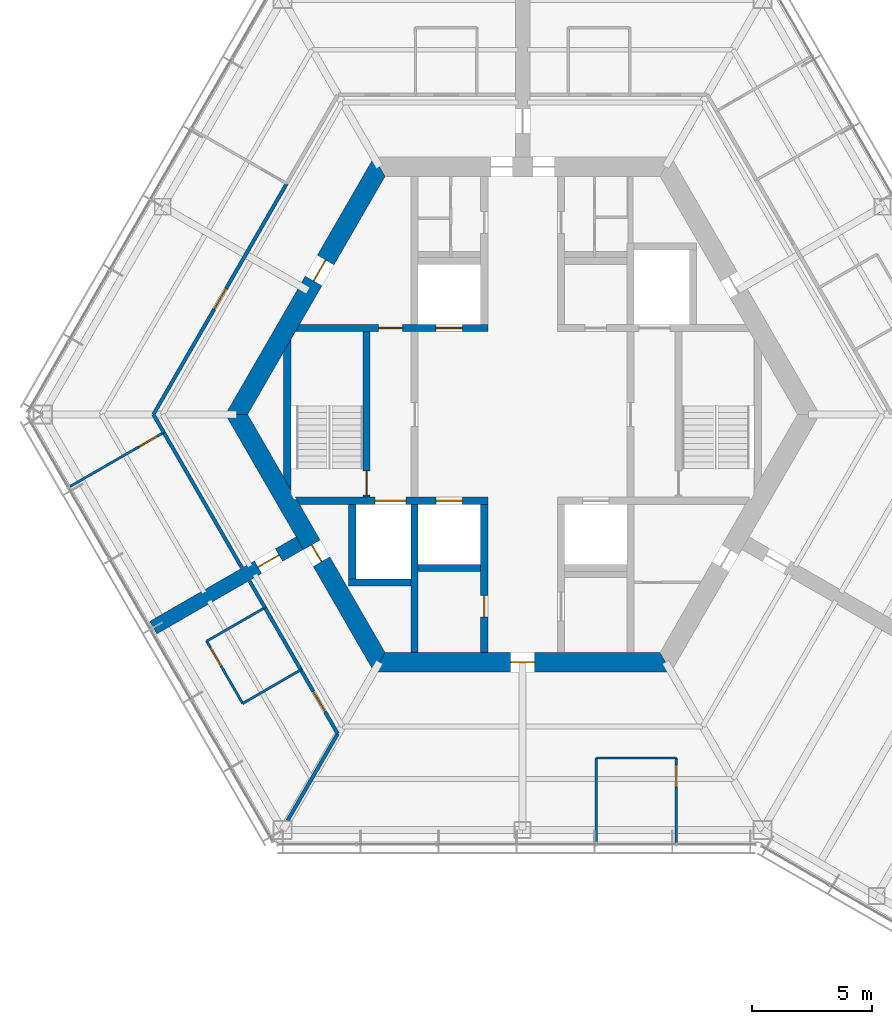
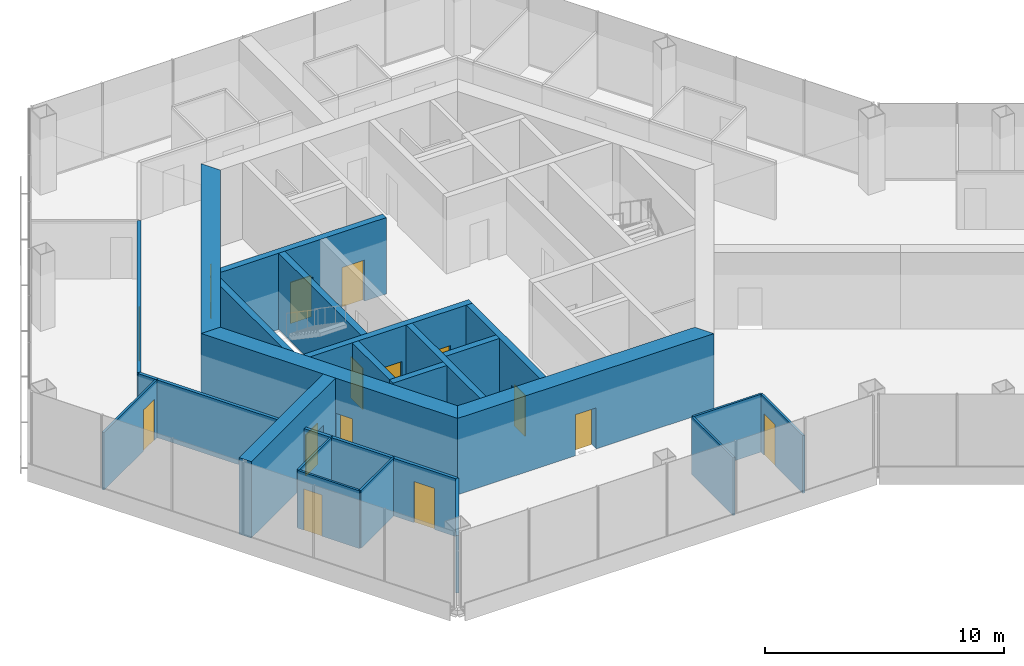
# One storey, part 10 of 15: 27 walls, 15 doors, 15 openings.
"""IFC4 building model written with IfcOpenShell, lengths in metres."""

from ifc_helpers import new_model, si_unit, direction, frame, frame_2d, origin, place, context, subcontext, project, spatial, polyline, rectangle, outline, extrude, material, layer, layer_set, type_object, element, fill, save


model = new_model("IFC4")

# Units and contexts
model_context = context("Model", 3, precision=1e-05, world=origin(), true_north=direction((0.0, 1.0)))
body_context = subcontext(model_context, "Body", "Model", "MODEL_VIEW")
ifc_project = project(units=[si_unit("LENGTHUNIT", "METRE"), si_unit("AREAUNIT", "SQUARE_METRE"), si_unit("VOLUMEUNIT", "CUBIC_METRE"), si_unit("PLANEANGLEUNIT", "RADIAN"), si_unit("MASSUNIT", "GRAM", prefix="KILO")], contexts=[model_context])

# Site, building, storey
site_placement = place(None, origin())
site = spatial("IfcSite", under=ifc_project, at=site_placement, CompositionType="ELEMENT")
building_placement = place(site_placement, origin())
building = spatial("IfcBuilding", under=site, at=building_placement, Name="Kasaneha Research Tower", CompositionType="ELEMENT")
storey_placement = place(building_placement, frame((0.0, 0.0, 244.0)))
storey = spatial("IfcBuildingStorey", under=building, at=storey_placement, Name="L61", CompositionType="ELEMENT", Elevation=244.0)

# Wall, openings, doors
ifc_material_1 = material(Name="Concrete Fc60", Category="concrete")
ifc_layer_1 = layer(ifc_material_1, 0.300048828125)
ifc_layer_set_1 = layer_set([ifc_layer_1], Name="Core internal wall 300 Fc60")
wall_type_1 = type_object("IfcWallType", Name="Core internal wall 300 Fc60", PredefinedType="SHEAR", material=ifc_layer_set_1)
wall_1_placement = place(storey_placement, frame((-9.3818359375, 3.60009765625, 0.0), z_axis=(0.0, 0.0, 1.0), x_axis=(1.0, 0.0, 0.0)))
wall_1 = element("IfcWall", 1, at=wall_1_placement, inside=storey, type_object=wall_type_1, Name="Core wall W1W L61", PredefinedType="SHEAR", context=body_context, shape_type="SweptSolid", body=[
    extrude(outline(polyline([(-0.086669921875, -0.14990234375), (3.3818359375, -0.14990234375), (4.3818359375, -0.14990234375), (5.781982421875, -0.14990234375), (6.882080078125, -0.14990234375), (7.931884765625, -0.14990234375), (7.931884765625, 0.14990234375), (6.882080078125, 0.14990234375), (5.781982421875, 0.14990234375), (4.3818359375, 0.14990234375), (3.3818359375, 0.14990234375), (0.086669921875, 0.14990234375), (-0.086669921875, -0.14990234375)])), origin(), (0.0, 0.0, 1.0), 3.89990234375),
])
opening_1_placement = place(wall_1_placement, frame((3.3818359375, 0.0, 0.0)))
opening_1 = element("IfcOpeningElement", 2, at=opening_1_placement, cuts=wall_1, Name="Opening L61-D12", PredefinedType="OPENING", context=body_context, shape_type="SweptSolid", body=[
    extrude(rectangle(XDim=1.0, YDim=2.10009765625, at=frame_2d((0.5, 1.050048828125))), frame((0.0, 0.16015625, 0.0), z_axis=(0.0, -1.0, 0.0), x_axis=(1.0, 0.0, 0.0)), (0.0, 0.0, 1.0), 0.320068359375),
])
opening_2_placement = place(wall_1_placement, frame((5.781982421875, 0.0, 0.0)))
opening_2 = element("IfcOpeningElement", 3, at=opening_2_placement, cuts=wall_1, Name="Opening LD-LH2-L61", PredefinedType="OPENING", context=body_context, shape_type="SweptSolid", body=[
    extrude(rectangle(XDim=1.10009765625, YDim=2.10009765625, at=frame_2d((0.550048828125, 1.050048828125))), frame((0.0, 0.16015625, 0.0), z_axis=(0.0, -1.0, 0.0), x_axis=(1.0, 0.0, 0.0)), (0.0, 0.0, 1.0), 0.320068359375),
])
ifc_material_2 = material(Name="Steel", Category="steel")
door_type_1 = type_object("IfcDoorType", Name="Lift landing door 1100x2100", OperationType="DOUBLE_DOOR_SLIDING", PredefinedType="DOOR", material=ifc_material_2)
door_1_placement = place(opening_2_placement, origin())
door_1 = element("IfcDoor", 4, at=door_1_placement, inside=storey, type_object=door_type_1, Name="Landing door LH2 LD-LH2-L61", OperationType="DOUBLE_DOOR_SLIDING", OverallHeight=2.10009765625, OverallWidth=1.10009765625, PredefinedType="DOOR", context=body_context, shape_type="SweptSolid", body=[
    extrude(rectangle(XDim=1.10009765625, YDim=2.10009765625, at=frame_2d((0.550048828125, 1.050048828125))), frame((0.0, 0.02490234375, 0.0), z_axis=(0.0, -1.0, 0.0), x_axis=(1.0, 0.0, 0.0)), (0.0, 0.0, 1.0), 0.050048828125),
])
fill(opening_2, door_1)
ifc_material_3 = material(Name="Steel", Category="steel")
door_type_2 = type_object("IfcDoorType", Name="Specified fire door FD60 1000x2100", OperationType="NOTDEFINED", PredefinedType="DOOR", material=ifc_material_3)
door_2_placement = place(opening_1_placement, origin())
door_2 = element("IfcDoor", 5, at=door_2_placement, inside=storey, type_object=door_type_2, Name="Vestibule to lobby door L61-D12", OperationType="SINGLE_SWING_LEFT", OverallHeight=2.10009765625, OverallWidth=1.0, PredefinedType="DOOR", context=body_context, shape_type="SweptSolid", body=[
    extrude(rectangle(XDim=1.0, YDim=2.10009765625, at=frame_2d((0.5, 1.050048828125))), frame((0.0, 0.02490234375, 0.0), z_axis=(0.0, -1.0, 0.0), x_axis=(1.0, 0.0, 0.0)), (0.0, 0.0, 1.0), 0.050048828125),
])
fill(opening_1, door_2)

wall_2_placement = place(storey_placement, frame((-9.3818359375, -3.60009765625, 0.0), z_axis=(0.0, 0.0, 1.0), x_axis=(1.0, 0.0, 0.0)))
wall_2 = element("IfcWall", 6, at=wall_2_placement, inside=storey, type_object=wall_type_1, Name="Core wall W2W L61", PredefinedType="SHEAR", context=body_context, shape_type="SweptSolid", body=[
    extrude(outline(polyline([(0.086669921875, -0.14990234375), (3.23193359375, -0.14990234375), (4.531982421875, -0.14990234375), (5.781982421875, -0.14990234375), (6.882080078125, -0.14990234375), (7.931884765625, -0.14990234375), (7.931884765625, 0.14990234375), (6.882080078125, 0.14990234375), (5.781982421875, 0.14990234375), (4.531982421875, 0.14990234375), (3.23193359375, 0.14990234375), (-0.086669921875, 0.14990234375), (0.086669921875, -0.14990234375)])), origin(), (0.0, 0.0, 1.0), 3.89990234375),
])
opening_3_placement = place(wall_2_placement, frame((5.781982421875, 0.0, 0.0)))
opening_3 = element("IfcOpeningElement", 7, at=opening_3_placement, cuts=wall_2, Name="Opening LD-LH1-L61", PredefinedType="OPENING", context=body_context, shape_type="SweptSolid", body=[
    extrude(rectangle(XDim=1.10009765625, YDim=2.10009765625, at=frame_2d((0.550048828125, 1.050048828125))), frame((0.0, 0.16015625, 0.0), z_axis=(0.0, -1.0, 0.0), x_axis=(1.0, 0.0, 0.0)), (0.0, 0.0, 1.0), 0.320068359375),
])
opening_4_placement = place(wall_2_placement, frame((3.23193359375, 0.0, 0.0)))
opening_4 = element("IfcOpeningElement", 8, at=opening_4_placement, cuts=wall_2, Name="Opening LD-FL2-L61", PredefinedType="OPENING", context=body_context, shape_type="SweptSolid", body=[
    extrude(rectangle(XDim=1.300048828125, YDim=2.10009765625, at=frame_2d((0.64990234375, 1.050048828125))), frame((0.0, 0.16015625, 0.0), z_axis=(0.0, -1.0, 0.0), x_axis=(1.0, 0.0, 0.0)), (0.0, 0.0, 1.0), 0.320068359375),
])
door_3_placement = place(opening_3_placement, origin())
door_3 = element("IfcDoor", 9, at=door_3_placement, inside=storey, type_object=door_type_1, Name="Landing door LH1 LD-LH1-L61", OperationType="DOUBLE_DOOR_SLIDING", OverallHeight=2.10009765625, OverallWidth=1.10009765625, PredefinedType="DOOR", context=body_context, shape_type="SweptSolid", body=[
    extrude(rectangle(XDim=1.10009765625, YDim=2.10009765625, at=frame_2d((0.550048828125, 1.050048828125))), frame((0.0, 0.02490234375, 0.0), z_axis=(0.0, -1.0, 0.0), x_axis=(1.0, 0.0, 0.0)), (0.0, 0.0, 1.0), 0.050048828125),
])
fill(opening_3, door_3)
ifc_material_4 = material(Name="Steel", Category="steel")
door_type_3 = type_object("IfcDoorType", Name="Lift landing door 1300x2100", OperationType="DOUBLE_DOOR_SLIDING", PredefinedType="DOOR", material=ifc_material_4)
door_4_placement = place(opening_4_placement, origin())
door_4 = element("IfcDoor", 10, at=door_4_placement, inside=storey, type_object=door_type_3, Name="Landing door FL2 LD-FL2-L61", OperationType="DOUBLE_DOOR_SLIDING", OverallHeight=2.10009765625, OverallWidth=1.300048828125, PredefinedType="DOOR", context=body_context, shape_type="SweptSolid", body=[
    extrude(rectangle(XDim=1.300048828125, YDim=2.10009765625, at=frame_2d((0.64990234375, 1.050048828125))), frame((0.0, 0.02490234375, 0.0), z_axis=(0.0, -1.0, 0.0), x_axis=(1.0, 0.0, 0.0)), (0.0, 0.0, 1.0), 0.050048828125),
])
fill(opening_4, door_4)

# Wall, opening, door
wall_3_placement = place(storey_placement, frame((-1.60009765625, -3.75, 0.0), z_axis=(0.0, 0.0, 1.0), x_axis=(0.0, -1.0, 0.0)))
wall_3 = element("IfcWall", 11, at=wall_3_placement, inside=storey, type_object=wall_type_1, Name="Core wall CSW L61", PredefinedType="SHEAR", context=body_context, shape_type="SweptSolid", body=[
    extrude(rectangle(XDim=6.175048828125, YDim=0.300048828125, at=frame_2d((3.08740234375, 0.0))), origin(), (0.0, 0.0, 1.0), 3.89990234375),
])
opening_5_placement = place(wall_3_placement, frame((3.800048828125, 0.0, 0.0)))
opening_5 = element("IfcOpeningElement", 12, at=opening_5_placement, cuts=wall_3, Name="Opening L61-D16", PredefinedType="OPENING", context=body_context, shape_type="SweptSolid", body=[
    extrude(rectangle(XDim=0.89990234375, YDim=2.10009765625, at=frame_2d((0.449951171875, 1.050048828125))), frame((0.0, 0.16015625, 0.0), z_axis=(0.0, -1.0, 0.0), x_axis=(1.0, 0.0, 0.0)), (0.0, 0.0, 1.0), 0.320068359375),
])
ifc_material_5 = material(Name="Steel", Category="steel")
door_type_4 = type_object("IfcDoorType", Name="Riser access door FD60 900x2100", OperationType="NOTDEFINED", PredefinedType="DOOR", material=ifc_material_5)
door_5_placement = place(opening_5_placement, origin())
door_5 = element("IfcDoor", 13, at=door_5_placement, inside=storey, type_object=door_type_4, Name="Electrical riser door L61-D16", OperationType="SINGLE_SWING_LEFT", OverallHeight=2.10009765625, OverallWidth=0.89990234375, PredefinedType="DOOR", context=body_context, shape_type="SweptSolid", body=[
    extrude(rectangle(XDim=0.89990234375, YDim=2.10009765625, at=frame_2d((0.449951171875, 1.050048828125))), frame((0.0, 0.02490234375, 0.0), z_axis=(0.0, -1.0, 0.0), x_axis=(1.0, 0.0, 0.0)), (0.0, 0.0, 1.0), 0.050048828125),
])
fill(opening_5, door_5)

wall_4_placement = place(storey_placement, frame((-6.5, -3.449951171875, 0.0), z_axis=(0.0, 0.0, 1.0), x_axis=(0.0, 1.0, 0.0)))
wall_4 = element("IfcWall", 14, at=wall_4_placement, inside=storey, type_object=wall_type_1, Name="Core wall ANW L61", PredefinedType="SHEAR", context=body_context, shape_type="SweptSolid", body=[
    extrude(rectangle(XDim=6.89990234375, YDim=0.300048828125, at=frame_2d((3.449951171875, 0.0))), origin(), (0.0, 0.0, 1.0), 3.89990234375),
])
opening_6_placement = place(wall_4_placement, frame((0.10009765625, 0.0, 0.0)))
opening_6 = element("IfcOpeningElement", 15, at=opening_6_placement, cuts=wall_4, Name="Opening L61-D11", PredefinedType="OPENING", context=body_context, shape_type="SweptSolid", body=[
    extrude(rectangle(XDim=1.0, YDim=2.10009765625, at=frame_2d((0.5, 1.050048828125))), frame((0.0, 0.16015625, 0.0), z_axis=(0.0, -1.0, 0.0), x_axis=(1.0, 0.0, 0.0)), (0.0, 0.0, 1.0), 0.320068359375),
])
door_6_placement = place(opening_6_placement, origin())
door_6 = element("IfcDoor", 16, at=door_6_placement, inside=storey, type_object=door_type_2, Name="Stair 2 door L61-D11", OperationType="SINGLE_SWING_LEFT", OverallHeight=2.10009765625, OverallWidth=1.0, PredefinedType="DOOR", context=body_context, shape_type="SweptSolid", body=[
    extrude(rectangle(XDim=1.0, YDim=2.10009765625, at=frame_2d((0.5, 1.050048828125))), frame((0.0, 0.02490234375, 0.0), z_axis=(0.0, -1.0, 0.0), x_axis=(1.0, 0.0, 0.0)), (0.0, 0.0, 1.0), 0.050048828125),
])
fill(opening_6, door_6)

# Walls
wall_5_placement = place(storey_placement, frame((-4.5, -3.75, 0.0), z_axis=(0.0, 0.0, 1.0), x_axis=(0.0, -1.0, 0.0)))
element("IfcWall", 17, at=wall_5_placement, inside=storey, type_object=wall_type_1, Name="Core wall SSW L61", PredefinedType="SHEAR", context=body_context, shape_type="SweptSolid", body=[
    extrude(rectangle(XDim=6.175048828125, YDim=0.300048828125, at=frame_2d((3.08740234375, 0.0))), origin(), (0.0, 0.0, 1.0), 3.89990234375),
])
for number, where, z_axis, x_axis, name in (
    (18, (-4.35009765625, -6.39990234375, 0.0), (0.0, 0.0, 1.0), (1.0, 0.0, 0.0), "Core wall S1S L61"),
    (19, (-7.25, -7.0, 0.0), (0.0, 0.0, 1.0), (1.0, 0.0, 0.0), "Core wall F2S L61"),
):
    element("IfcWall", number, at=place(storey_placement, frame(where, z_axis=z_axis, x_axis=x_axis)), inside=storey, type_object=wall_type_1, Name=name, PredefinedType="SHEAR", context=body_context, shape_type="SweptSolid", body=[
        extrude(rectangle(XDim=2.60009765625, YDim=0.300048828125, at=frame_2d((1.300048828125, 0.0))), origin(), (0.0, 0.0, 1.0), 3.89990234375),
    ])
wall_6_placement = place(storey_placement, frame((-7.10009765625, -3.75, 0.0), z_axis=(0.0, 0.0, 1.0), x_axis=(0.0, -1.0, 0.0)))
element("IfcWall", 20, at=wall_6_placement, inside=storey, type_object=wall_type_1, Name="Core wall F2W L61", PredefinedType="SHEAR", context=body_context, shape_type="SweptSolid", body=[
    extrude(rectangle(XDim=3.10009765625, YDim=0.300048828125, at=frame_2d((1.550048828125, 0.0))), origin(), (0.0, 0.0, 1.0), 3.89990234375),
])
wall_7_placement = place(storey_placement, frame((-9.807861328125, -2.8623046875, 0.0), z_axis=(0.0, 0.0, 1.0), x_axis=(0.0, 1.0, 0.0)))
element("IfcWall", 21, at=wall_7_placement, inside=storey, type_object=wall_type_1, Name="Core wall STW L61", PredefinedType="SHEAR", context=body_context, shape_type="SweptSolid", body=[
    extrude(outline(polyline([(-0.259765625, -0.14990234375), (5.984375, -0.14990234375), (5.46484375, 0.14990234375), (0.259765625, 0.14990234375), (-0.259765625, -0.14990234375)])), origin(), (0.0, 0.0, 1.0), 3.89990234375),
])

# Wall, opening, door
ifc_material_6 = material(Name="Concrete Fc60", Category="concrete")
ifc_layer_2 = layer(ifc_material_6, 0.800048828125)
ifc_layer_set_2 = layer_set([ifc_layer_2], Name="Core wall 800 Fc60")
wall_type_2 = type_object("IfcWallType", Name="Core wall 800 Fc60", PredefinedType="SHEAR", material=ifc_layer_set_2)
wall_8_placement = place(storey_placement, frame((-5.961181640625, 10.324951171875, 0.0), z_axis=(0.0, 0.0, 1.0), x_axis=(-0.500004296715, -0.866022923061, 0.0)))
wall_8 = element("IfcWall", 22, at=wall_8_placement, inside=storey, type_object=wall_type_2, Name="Core wall 150 L61", PredefinedType="SHEAR", context=body_context, shape_type="SweptSolid", body=[
    extrude(outline(polyline([(-0.23095703125, -0.39990234375), (4.494140625, -0.39990234375), (5.494140625, -0.39990234375), (12.1533203125, -0.39990234375), (11.69140625, 0.39990234375), (5.494140625, 0.39990234375), (4.494140625, 0.39990234375), (0.23095703125, 0.39990234375), (-0.23095703125, -0.39990234375)])), origin(), (0.0, 0.0, 1.0), 3.89990234375),
])
opening_7_placement = place(wall_8_placement, frame((4.494140625, 0.0, 0.0)))
opening_7 = element("IfcOpeningElement", 23, at=opening_7_placement, cuts=wall_8, Name="Opening L61-D07", PredefinedType="OPENING", context=body_context, shape_type="SweptSolid", body=[
    extrude(rectangle(XDim=1.0, YDim=2.10009765625, at=frame_2d((0.5, 1.050048828125))), frame((0.0, 0.41015625, 0.0), z_axis=(0.0, -1.0, 0.0), x_axis=(1.0, 0.0, 0.0)), (0.0, 0.0, 1.0), 0.820068359375),
])
ifc_material_7 = material(Name="Steel", Category="steel")
door_type_5 = type_object("IfcDoorType", Name="Fire door FD20 1000x2100", OperationType="NOTDEFINED", PredefinedType="DOOR", material=ifc_material_7)
door_7_placement = place(opening_7_placement, origin())
door_7 = element("IfcDoor", 24, at=door_7_placement, inside=storey, type_object=door_type_5, Name="Vestibule door L61-D07", OperationType="SINGLE_SWING_LEFT", OverallHeight=2.10009765625, OverallWidth=1.0, PredefinedType="DOOR", context=body_context, shape_type="SweptSolid", body=[
    extrude(rectangle(XDim=1.0, YDim=2.10009765625, at=frame_2d((0.5, 1.050048828125))), frame((0.0, 0.02490234375, 0.0), z_axis=(0.0, -1.0, 0.0), x_axis=(1.0, 0.0, 0.0)), (0.0, 0.0, 1.0), 0.050048828125),
])
fill(opening_7, door_7)

wall_9_placement = place(storey_placement, frame((-11.92236328125, 0.0, 0.0), z_axis=(0.0, 0.0, 1.0), x_axis=(0.500004296715, -0.866022923061, 0.0)))
wall_9 = element("IfcWall", 25, at=wall_9_placement, inside=storey, type_object=wall_type_2, Name="Core wall 210 L61", PredefinedType="SHEAR", context=body_context, shape_type="SweptSolid", body=[
    extrude(outline(polyline([(-0.23095703125, -0.39990234375), (6.28125, -0.39990234375), (7.081298828125, -0.39990234375), (12.1533203125, -0.39990234375), (11.69140625, 0.39990234375), (7.081298828125, 0.39990234375), (6.28125, 0.39990234375), (0.23095703125, 0.39990234375), (-0.23095703125, -0.39990234375)])), origin(), (0.0, 0.0, 1.0), 3.89990234375),
])
opening_8_placement = place(wall_9_placement, frame((6.28125, 0.0, 0.0)))
opening_8 = element("IfcOpeningElement", 26, at=opening_8_placement, cuts=wall_9, Name="Opening L61-D06", PredefinedType="OPENING", context=body_context, shape_type="SweptSolid", body=[
    extrude(rectangle(XDim=0.800048828125, YDim=2.10009765625, at=frame_2d((0.39990234375, 1.050048828125))), frame((0.0, 0.41015625, 0.0), z_axis=(0.0, -1.0, 0.0), x_axis=(1.0, 0.0, 0.0)), (0.0, 0.0, 1.0), 0.820068359375),
])
ifc_material_8 = material(Name="Steel", Category="steel")
door_type_6 = type_object("IfcDoorType", Name="Riser access door FD60 800x2100", OperationType="NOTDEFINED", PredefinedType="DOOR", material=ifc_material_8)
door_8_placement = place(opening_8_placement, origin())
door_8 = element("IfcDoor", 27, at=door_8_placement, inside=storey, type_object=door_type_6, Name="Duct riser door L61-D06", OperationType="SINGLE_SWING_RIGHT", OverallHeight=2.10009765625, OverallWidth=0.800048828125, PredefinedType="DOOR", context=body_context, shape_type="SweptSolid", body=[
    extrude(rectangle(XDim=0.800048828125, YDim=2.10009765625, at=frame_2d((0.39990234375, 1.050048828125))), frame((0.0, 0.02490234375, 0.0), z_axis=(0.0, -1.0, 0.0), x_axis=(1.0, 0.0, 0.0)), (0.0, 0.0, 1.0), 0.050048828125),
])
fill(opening_8, door_8)

wall_10_placement = place(storey_placement, frame((-5.961181640625, -10.324951171875, 0.0), z_axis=(0.0, 0.0, 1.0), x_axis=(1.0, 0.0, 0.0)))
wall_10 = element("IfcWall", 28, at=wall_10_placement, inside=storey, type_object=wall_type_2, Name="Core wall 270 L61", PredefinedType="SHEAR", context=body_context, shape_type="SweptSolid", body=[
    extrude(outline(polyline([(-0.23095703125, -0.39990234375), (5.461181640625, -0.39990234375), (6.461181640625, -0.39990234375), (12.1533203125, -0.39990234375), (11.69140625, 0.39990234375), (6.461181640625, 0.39990234375), (5.461181640625, 0.39990234375), (0.23095703125, 0.39990234375), (-0.23095703125, -0.39990234375)])), origin(), (0.0, 0.0, 1.0), 3.89990234375),
])
opening_9_placement = place(wall_10_placement, frame((5.461181640625, 0.0, 0.0)))
opening_9 = element("IfcOpeningElement", 29, at=opening_9_placement, cuts=wall_10, Name="Opening L61-D03", PredefinedType="OPENING", context=body_context, shape_type="SweptSolid", body=[
    extrude(rectangle(XDim=1.0, YDim=2.10009765625, at=frame_2d((0.5, 1.050048828125))), frame((0.0, 0.41015625, 0.0), z_axis=(0.0, -1.0, 0.0), x_axis=(1.0, 0.0, 0.0)), (0.0, 0.0, 1.0), 0.820068359375),
])
door_9_placement = place(opening_9_placement, origin())
door_9 = element("IfcDoor", 30, at=door_9_placement, inside=storey, type_object=door_type_5, Name="Core door south L61-D03", OperationType="SINGLE_SWING_LEFT", OverallHeight=2.10009765625, OverallWidth=1.0, PredefinedType="DOOR", context=body_context, shape_type="SweptSolid", body=[
    extrude(rectangle(XDim=1.0, YDim=2.10009765625, at=frame_2d((0.5, 1.050048828125))), frame((0.0, 0.02490234375, 0.0), z_axis=(0.0, -1.0, 0.0), x_axis=(1.0, 0.0, 0.0)), (0.0, 0.0, 1.0), 0.050048828125),
])
fill(opening_9, door_9)

ifc_material_9 = material(Name="Gypsum board on steel studs, one layer each side", Category="steel")
ifc_layer_3 = layer(ifc_material_9, 0.10009765625)
ifc_layer_set_3 = layer_set([ifc_layer_3], Name="Office partition 100")
wall_type_3 = type_object("IfcWallType", Name="Office partition 100", PredefinedType="PARTITIONING", material=ifc_layer_set_3)
wall_11_placement = place(storey_placement, frame((-18.857177734375, -2.99951171875, 0.0), z_axis=(0.0, 0.0, 1.0), x_axis=(0.866517357236, 0.4991469419, 0.0)))
wall_11 = element("IfcWall", 31, at=wall_11_placement, inside=storey, type_object=wall_type_3, Name="Office partition FBN05 L61", PredefinedType="PARTITIONING", context=body_context, shape_type="SweptSolid", body=[
    extrude(rectangle(XDim=4.505615234375, YDim=0.10009765625, at=frame_2d((2.2529296875, 0.0))), origin(), (0.0, 0.0, 1.0), 2.949951171875),
])
opening_10_placement = place(wall_11_placement, frame((3.3056640625, 0.0, 0.0)))
opening_10 = element("IfcOpeningElement", 32, at=opening_10_placement, cuts=wall_11, Name="Opening L61-D34", PredefinedType="OPENING", context=body_context, shape_type="SweptSolid", body=[
    extrude(rectangle(XDim=0.89990234375, YDim=2.10009765625, at=frame_2d((0.449951171875, 1.050048828125))), frame((0.0, 0.06005859375, 0.0), z_axis=(0.0, -1.0, 0.0), x_axis=(1.0, 0.0, 0.0)), (0.0, 0.0, 1.0), 0.1201171875),
])
ifc_material_10 = material(Name="Timber veneer", Category="wood")
door_type_7 = type_object("IfcDoorType", Name="Office door 900x2100", OperationType="SINGLE_SWING_LEFT", PredefinedType="DOOR", material=ifc_material_10)
door_10_placement = place(opening_10_placement, origin())
door_10 = element("IfcDoor", 33, at=door_10_placement, inside=storey, type_object=door_type_7, Name="Meeting room door L61-D34", OperationType="SINGLE_SWING_RIGHT", OverallHeight=2.10009765625, OverallWidth=0.89990234375, PredefinedType="DOOR", context=body_context, shape_type="SweptSolid", body=[
    extrude(rectangle(XDim=0.89990234375, YDim=2.10009765625, at=frame_2d((0.449951171875, 1.050048828125))), frame((0.0, 0.02490234375, 0.0), z_axis=(0.0, -1.0, 0.0), x_axis=(1.0, 0.0, 0.0)), (0.0, 0.0, 1.0), 0.050048828125),
])
fill(opening_10, door_10)

# Wall
wall_12_placement = place(storey_placement, frame((-13.164794921875, -9.447998046875, 0.0), z_axis=(0.0, 0.0, 1.0), x_axis=(0.866855433567, 0.498559582492, 0.0)))
element("IfcWall", 34, at=wall_12_placement, inside=storey, type_object=wall_type_3, Name="Office partition FBS04 L61", PredefinedType="PARTITIONING", context=body_context, shape_type="SweptSolid", body=[
    extrude(rectangle(XDim=2.800048828125, YDim=0.10009765625, at=frame_2d((1.39990234375, 0.0))), origin(), (0.0, 0.0, 1.0), 2.949951171875),
])

# Wall, opening, door
wall_13_placement = place(storey_placement, frame((-11.664794921875, -12.046142578125, 0.0), z_axis=(0.0, 0.0, 1.0), x_axis=(-0.499990139034, 0.866031096941, 0.0)))
wall_13 = element("IfcWall", 35, at=wall_13_placement, inside=storey, type_object=wall_type_3, Name="Office partition FBS05 L61", PredefinedType="PARTITIONING", context=body_context, shape_type="SweptSolid", body=[
    extrude(rectangle(XDim=3.0, YDim=0.10009765625, at=frame_2d((1.5, 0.0))), origin(), (0.0, 0.0, 1.0), 2.949951171875),
])
opening_11_placement = place(wall_13_placement, frame((1.800048828125, 0.0, 0.0)))
opening_11 = element("IfcOpeningElement", 36, at=opening_11_placement, cuts=wall_13, Name="Opening L61-D37", PredefinedType="OPENING", context=body_context, shape_type="SweptSolid", body=[
    extrude(rectangle(XDim=0.89990234375, YDim=2.10009765625, at=frame_2d((0.449951171875, 1.050048828125))), frame((0.0, 0.06005859375, 0.0), z_axis=(0.0, -1.0, 0.0), x_axis=(1.0, 0.0, 0.0)), (0.0, 0.0, 1.0), 0.1201171875),
])
door_11_placement = place(opening_11_placement, origin())
door_11 = element("IfcDoor", 37, at=door_11_placement, inside=storey, type_object=door_type_7, Name="Pantry door L61-D37", OperationType="SINGLE_SWING_RIGHT", OverallHeight=2.10009765625, OverallWidth=0.89990234375, PredefinedType="DOOR", context=body_context, shape_type="SweptSolid", body=[
    extrude(rectangle(XDim=0.89990234375, YDim=2.10009765625, at=frame_2d((0.449951171875, 1.050048828125))), frame((0.0, 0.02490234375, 0.0), z_axis=(0.0, -1.0, 0.0), x_axis=(1.0, 0.0, 0.0)), (0.0, 0.0, 1.0), 0.050048828125),
])
fill(opening_11, door_11)

# Walls
wall_14_placement = place(storey_placement, frame((-9.241943359375, -10.642333984375, 0.0), z_axis=(0.0, 0.0, 1.0), x_axis=(-0.865255114713, -0.501331812737, 0.0)))
element("IfcWall", 38, at=wall_14_placement, inside=storey, type_object=wall_type_3, Name="Office partition FBS06 L61", PredefinedType="PARTITIONING", context=body_context, shape_type="SweptSolid", body=[
    extrude(rectangle(XDim=2.800048828125, YDim=0.10009765625, at=frame_2d((1.39990234375, 0.0))), origin(), (0.0, 0.0, 1.0), 2.949951171875),
])
wall_15_placement = place(storey_placement, frame((3.077392578125, -17.800537109375, 0.0), z_axis=(0.0, 0.0, 1.0), x_axis=(0.0, 1.0, 0.0)))
element("IfcWall", 39, at=wall_15_placement, inside=storey, type_object=wall_type_3, Name="Office partition FCS03 L61", PredefinedType="PARTITIONING", context=body_context, shape_type="SweptSolid", body=[
    extrude(rectangle(XDim=3.47998046875, YDim=0.10009765625, at=frame_2d((1.739990234375, 0.0))), origin(), (0.0, 0.0, 1.0), 2.949951171875),
])
wall_16_placement = place(storey_placement, frame((3.077392578125, -14.320556640625, 0.0), z_axis=(0.0, 0.0, 1.0), x_axis=(1.0, 0.0, 0.0)))
element("IfcWall", 40, at=wall_16_placement, inside=storey, type_object=wall_type_3, Name="Office partition FCS04 L61", PredefinedType="PARTITIONING", context=body_context, shape_type="SweptSolid", body=[
    extrude(rectangle(XDim=3.330810546875, YDim=0.10009765625, at=frame_2d((1.66552734375, 0.0))), origin(), (0.0, 0.0, 1.0), 2.949951171875),
])

# Wall, opening, door
wall_17_placement = place(storey_placement, frame((6.408203125, -14.320556640625, 0.0), z_axis=(0.0, 0.0, 1.0), x_axis=(0.0, -1.0, 0.0)))
wall_17 = element("IfcWall", 41, at=wall_17_placement, inside=storey, type_object=wall_type_3, Name="Office partition FCS05 L61", PredefinedType="PARTITIONING", context=body_context, shape_type="SweptSolid", body=[
    extrude(rectangle(XDim=3.534912109375, YDim=0.10009765625, at=frame_2d((1.767578125, 0.0))), origin(), (0.0, 0.0, 1.0), 2.949951171875),
])
opening_12_placement = place(wall_17_placement, frame((0.300048828125, 0.0, 0.0)))
opening_12 = element("IfcOpeningElement", 42, at=opening_12_placement, cuts=wall_17, Name="Opening L61-D40", PredefinedType="OPENING", context=body_context, shape_type="SweptSolid", body=[
    extrude(rectangle(XDim=0.89990234375, YDim=2.10009765625, at=frame_2d((0.449951171875, 1.050048828125))), frame((0.0, 0.06005859375, 0.0), z_axis=(0.0, -1.0, 0.0), x_axis=(1.0, 0.0, 0.0)), (0.0, 0.0, 1.0), 0.1201171875),
])
door_12_placement = place(opening_12_placement, origin())
door_12 = element("IfcDoor", 43, at=door_12_placement, inside=storey, type_object=door_type_7, Name="Meeting room door L61-D40", OperationType="SINGLE_SWING_LEFT", OverallHeight=2.10009765625, OverallWidth=0.89990234375, PredefinedType="DOOR", context=body_context, shape_type="SweptSolid", body=[
    extrude(rectangle(XDim=0.89990234375, YDim=2.10009765625, at=frame_2d((0.449951171875, 1.050048828125))), frame((0.0, 0.02490234375, 0.0), z_axis=(0.0, -1.0, 0.0), x_axis=(1.0, 0.0, 0.0)), (0.0, 0.0, 1.0), 0.050048828125),
])
fill(opening_12, door_12)

ifc_material_11 = material(Name="Concrete Fc60", Category="concrete")
ifc_layer_4 = layer(ifc_material_11, 0.60009765625)
ifc_layer_set_4 = layer_set([ifc_layer_4], Name="Spine wall 600 Fc60")
wall_type_4 = type_object("IfcWallType", Name="Spine wall 600 Fc60", PredefinedType="SHEAR", material=ifc_layer_set_4)
wall_18_placement = place(storey_placement, frame((-9.2880859375, -5.362548828125, 0.0), z_axis=(0.0, 0.0, 1.0), x_axis=(-0.866027473358, -0.499996415376, 0.0)))
wall_18 = element("IfcWall", 44, at=wall_18_placement, inside=storey, type_object=wall_type_4, Name="Spine wall B L61", PredefinedType="SHEAR", context=body_context, shape_type="SweptSolid", body=[
    extrude(rectangle(XDim=7.04541015625, YDim=0.60009765625, at=frame_2d((3.522705078125, 0.0))), origin(), (0.0, 0.0, 1.0), 3.89990234375),
])
opening_13_placement = place(wall_18_placement, frame((1.0, 0.0, 0.0)))
opening_13 = element("IfcOpeningElement", 45, at=opening_13_placement, cuts=wall_18, Name="Opening L61-D19", PredefinedType="OPENING", context=body_context, shape_type="SweptSolid", body=[
    extrude(rectangle(XDim=1.0, YDim=2.10009765625, at=frame_2d((0.5, 1.050048828125))), frame((0.0, 0.31005859375, 0.0), z_axis=(0.0, -1.0, 0.0), x_axis=(1.0, 0.0, 0.0)), (0.0, 0.0, 1.0), 0.6201171875),
])
door_13_placement = place(opening_13_placement, origin())
door_13 = element("IfcDoor", 46, at=door_13_placement, inside=storey, type_object=door_type_2, Name="Spine doorway B L61-D19", OperationType="SINGLE_SWING_LEFT", OverallHeight=2.10009765625, OverallWidth=1.0, PredefinedType="DOOR", context=body_context, shape_type="SweptSolid", body=[
    extrude(rectangle(XDim=1.0, YDim=2.10009765625, at=frame_2d((0.5, 1.050048828125))), frame((0.0, 0.02490234375, 0.0), z_axis=(0.0, -1.0, 0.0), x_axis=(1.0, 0.0, 0.0)), (0.0, 0.0, 1.0), 0.050048828125),
])
fill(opening_13, door_13)

# Wall
ifc_material_12 = material(Name="Gypsum board on steel studs, two layers each side", Category="steel")
ifc_layer_5 = layer(ifc_material_12, 0.14990234375)
ifc_layer_set_5 = layer_set([ifc_layer_5], Name="Suite partition 150")
wall_type_5 = type_object("IfcWallType", Name="Suite partition 150", PredefinedType="PARTITIONING", material=ifc_layer_set_5)
wall_19_placement = place(storey_placement, frame((-11.69970703125, -6.385498046875, 0.0), z_axis=(0.0, 0.0, 1.0), x_axis=(-0.500003537243, 0.866023361547, 0.0)))
element("IfcWall", 47, at=wall_19_placement, inside=storey, type_object=wall_type_5, Name="Suite partition FBN01 L61", PredefinedType="PARTITIONING", context=body_context, shape_type="SweptSolid", body=[
    extrude(rectangle(XDim=6.51611328125, YDim=0.14990234375, at=frame_2d((3.258056640625, 0.0))), origin(), (0.0, 0.0, 1.0), 2.949951171875),
])

# Wall, opening, door
wall_20_placement = place(storey_placement, frame((-15.386474609375, 0.0, 0.0), z_axis=(0.0, 0.0, 1.0), x_axis=(0.50000453164, 0.866022787425, 0.0)))
wall_20 = element("IfcWall", 48, at=wall_20_placement, inside=storey, type_object=wall_type_5, Name="Suite partition FBN03 L61", PredefinedType="PARTITIONING", context=body_context, shape_type="SweptSolid", body=[
    extrude(rectangle(XDim=11.11328125, YDim=0.14990234375, at=frame_2d((5.556640625, 0.0))), origin(), (0.0, 0.0, 1.0), 2.949951171875),
])
opening_14_placement = place(wall_20_placement, frame((5.056640625, 0.0, 0.0)))
opening_14 = element("IfcOpeningElement", 49, at=opening_14_placement, cuts=wall_20, Name="Opening L61-D33", PredefinedType="OPENING", context=body_context, shape_type="SweptSolid", body=[
    extrude(rectangle(XDim=1.0, YDim=2.10009765625, at=frame_2d((0.5, 1.050048828125))), frame((0.0, 0.0849609375, 0.0), z_axis=(0.0, -1.0, 0.0), x_axis=(1.0, 0.0, 0.0)), (0.0, 0.0, 1.0), 0.169921875),
])
ifc_material_13 = material(Name="Steel", Category="steel")
door_type_8 = type_object("IfcDoorType", Name="Suite entrance door FD60 1000x2100", OperationType="NOTDEFINED", PredefinedType="DOOR", material=ifc_material_13)
door_14_placement = place(opening_14_placement, origin())
door_14 = element("IfcDoor", 50, at=door_14_placement, inside=storey, type_object=door_type_8, Name="Suite entrance door L61-D33", OperationType="SINGLE_SWING_LEFT", OverallHeight=2.10009765625, OverallWidth=1.0, PredefinedType="DOOR", context=body_context, shape_type="SweptSolid", body=[
    extrude(rectangle(XDim=1.0, YDim=2.10009765625, at=frame_2d((0.5, 1.050048828125))), frame((0.0, 0.02490234375, 0.0), z_axis=(0.0, -1.0, 0.0), x_axis=(1.0, 0.0, 0.0)), (0.0, 0.0, 1.0), 0.050048828125),
])
fill(opening_14, door_14)

# Walls
wall_21_placement = place(storey_placement, frame((-14.952880859375, -0.75048828125, 0.0), z_axis=(0.0, 0.0, 1.0), x_axis=(-0.500258826225, 0.865875918815, 0.0)))
element("IfcWall", 51, at=wall_21_placement, inside=storey, type_object=wall_type_5, Name="Suite partition FBN04 L61", PredefinedType="PARTITIONING", context=body_context, shape_type="SweptSolid", body=[
    extrude(rectangle(XDim=0.86669921875, YDim=0.14990234375, at=frame_2d((0.433349609375, 0.0))), origin(), (0.0, 0.0, 1.0), 2.949951171875),
])
wall_22_placement = place(storey_placement, frame((-9.2373046875, -10.650390625, 0.0), z_axis=(0.0, 0.0, 1.0), x_axis=(-0.499977562641, 0.866038357612, 0.0)))
element("IfcWall", 52, at=wall_22_placement, inside=storey, type_object=wall_type_5, Name="Suite partition FBS01 L61", PredefinedType="PARTITIONING", context=body_context, shape_type="SweptSolid", body=[
    extrude(rectangle(XDim=3.010009765625, YDim=0.14990234375, at=frame_2d((1.5048828125, 0.0))), origin(), (0.0, 0.0, 1.0), 2.949951171875),
])
wall_23_placement = place(storey_placement, frame((-10.737548828125, -8.052001953125, 0.0), z_axis=(0.0, 0.0, 1.0), x_axis=(-0.500084415177, 0.865976661173, 0.0)))
element("IfcWall", 53, at=wall_23_placement, inside=storey, type_object=wall_type_5, Name="Suite partition FBS02 L61", PredefinedType="PARTITIONING", context=body_context, shape_type="SweptSolid", body=[
    extrude(rectangle(XDim=1.284423828125, YDim=0.14990234375, at=frame_2d((0.64208984375, 0.0))), origin(), (0.0, 0.0, 1.0), 2.949951171875),
])

# Wall, opening, door
wall_24_placement = place(storey_placement, frame((-7.70458984375, -13.304931640625, 0.0), z_axis=(0.0, 0.0, 1.0), x_axis=(-0.500024891708, 0.866011032073, 0.0)))
wall_24 = element("IfcWall", 54, at=wall_24_placement, inside=storey, type_object=wall_type_5, Name="Suite partition FBS03 L61", PredefinedType="PARTITIONING", context=body_context, shape_type="SweptSolid", body=[
    extrude(rectangle(XDim=3.074462890625, YDim=0.14990234375, at=frame_2d((1.537109375, 0.0))), origin(), (0.0, 0.0, 1.0), 2.949951171875),
])
opening_15_placement = place(wall_24_placement, frame((1.037353515625, 0.0, 0.0)))
opening_15 = element("IfcOpeningElement", 55, at=opening_15_placement, cuts=wall_24, Name="Opening L61-D36", PredefinedType="OPENING", context=body_context, shape_type="SweptSolid", body=[
    extrude(rectangle(XDim=1.0, YDim=2.10009765625, at=frame_2d((0.5, 1.050048828125))), frame((0.0, 0.0849609375, 0.0), z_axis=(0.0, -1.0, 0.0), x_axis=(1.0, 0.0, 0.0)), (0.0, 0.0, 1.0), 0.169921875),
])
door_15_placement = place(opening_15_placement, origin())
door_15 = element("IfcDoor", 56, at=door_15_placement, inside=storey, type_object=door_type_8, Name="Suite entrance door L61-D36", OperationType="SINGLE_SWING_RIGHT", OverallHeight=2.10009765625, OverallWidth=1.0, PredefinedType="DOOR", context=body_context, shape_type="SweptSolid", body=[
    extrude(rectangle(XDim=1.0, YDim=2.10009765625, at=frame_2d((0.5, 1.050048828125))), frame((0.0, 0.02490234375, 0.0), z_axis=(0.0, -1.0, 0.0), x_axis=(1.0, 0.0, 0.0)), (0.0, 0.0, 1.0), 0.050048828125),
])
fill(opening_15, door_15)

# Wall
wall_25_placement = place(storey_placement, frame((-7.70458984375, -13.304931640625, 0.0), z_axis=(0.0, 0.0, 1.0), x_axis=(-0.500036655653, -0.866004239599, 0.0)))
element("IfcWall", 57, at=wall_25_placement, inside=storey, type_object=wall_type_5, Name="Suite partition closer PT4 L61", PredefinedType="PARTITIONING", context=body_context, shape_type="SweptSolid", body=[
    extrude(rectangle(XDim=4.170166015625, YDim=0.14990234375, at=frame_2d((2.0849609375, 0.0))), origin(), (0.0, 0.0, 1.0), 2.949951171875),
])

save(model, "model.ifc")
